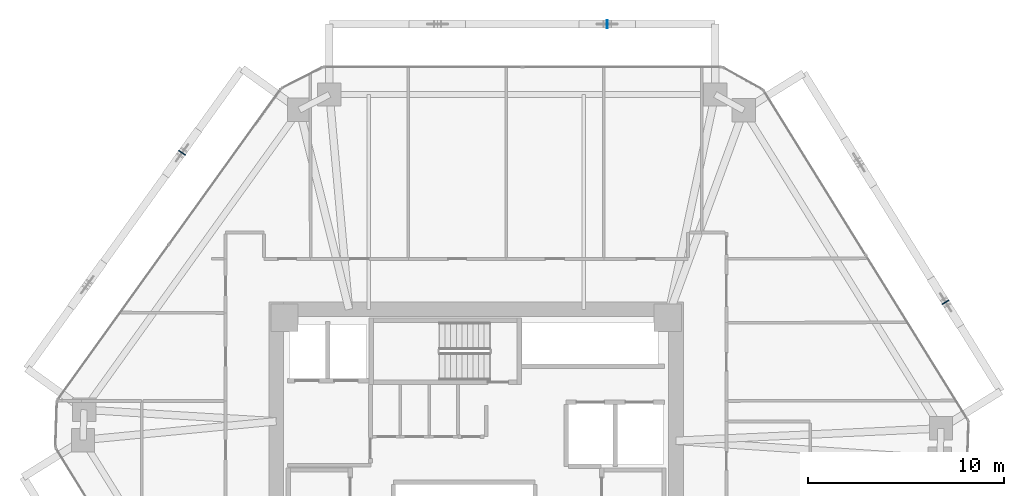
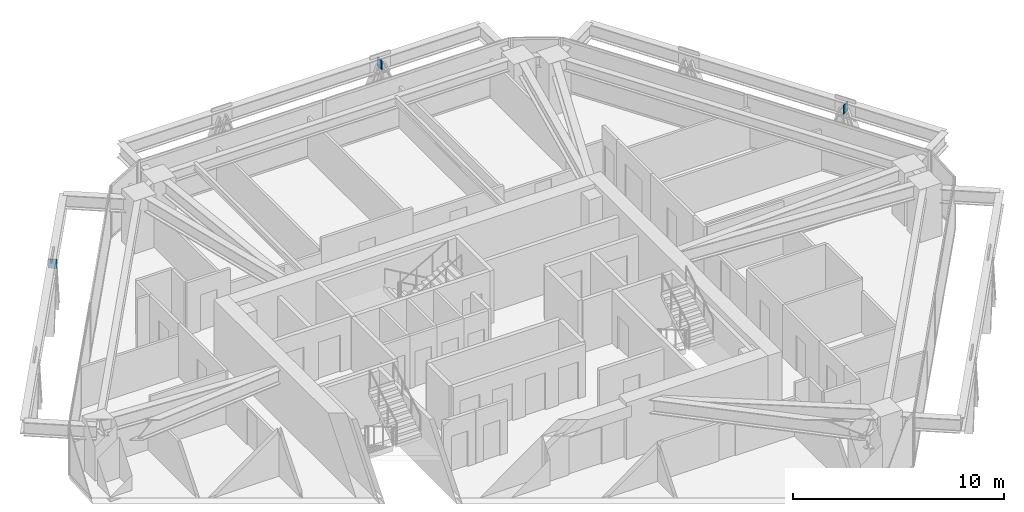
# One storey, part 11 of 16: 3 plates.
"""IFC4 building model written with IfcOpenShell, lengths in metres."""

from ifc_helpers import new_model, si_unit, direction, frame, origin, origin_2d, place, context, subcontext, project, spatial, rectangle, extrude, source, transform, mapped, material, layer, layer_set, type_object, type_shapes, element, save


model = new_model("IFC4")

# Units and contexts
model_context = context("Model", 3, precision=1e-05, world=origin(), true_north=direction((0.0, 1.0)))
body_context = subcontext(model_context, "Body", "Model", "MODEL_VIEW")
ifc_project = project(units=[si_unit("LENGTHUNIT", "METRE"), si_unit("AREAUNIT", "SQUARE_METRE"), si_unit("VOLUMEUNIT", "CUBIC_METRE"), si_unit("PLANEANGLEUNIT", "RADIAN"), si_unit("MASSUNIT", "GRAM", prefix="KILO")], contexts=[model_context])

# Site, building, storey
site_placement = place(None, origin())
site = spatial("IfcSite", under=ifc_project, at=site_placement, CompositionType="ELEMENT")
building_placement = place(site_placement, origin())
building = spatial("IfcBuilding", under=site, at=building_placement, Name="Durnholm Broadcast Tower", CompositionType="ELEMENT")
storey_placement = place(building_placement, frame((0.0, 0.0, 123.89990234375)))
storey = spatial("IfcBuildingStorey", under=building, at=storey_placement, Name="L33", CompositionType="ELEMENT", Elevation=123.89990234375)

# Plates
ifc_material = material(Name="Steel ASTM A572 Grade 50", Category="steel")
ifc_layer = layer(ifc_material, 0.044921875)
ifc_layer_set = layer_set([ifc_layer], Name="Steel ASTM A572 Grade 50")
plate_type = type_object("IfcPlateType", Name="PLT-KN-STIF", PredefinedType="SHEET", material=ifc_layer_set)
shared_shape = source(origin(), body_context, "Body", "SweptSolid", [
    extrude(rectangle(XDim=0.044921875, YDim=0.419921875, at=origin_2d()), origin(), (0.0, 0.0, 1.0), 0.52001953125),
])
type_shapes(plate_type, [shared_shape])
for number, where, z_axis, x_axis, name in (
    (1, (24.01513671875, 8.58837890625, 2.048583984375), (0.0, 0.0, 1.0), (-0.527104121728, 0.849800708906, 0.0), "L33 welded diagrid node stiffener plate F3"),
    (2, (6.7060546875, 22.81494140625, 2.048583984375), (0.0, 0.0, 1.0), (-1.0, 0.0, 0.0), "L33 welded diagrid node stiffener plate F4"),
    (3, (-15.040771484375, 16.234375, 2.048583984375), (0.0, 0.0, 1.0), (-0.583399467156, -0.812185361677, 0.0), "L33 welded diagrid node stiffener plate F5"),
):
    element("IfcPlate", number, at=place(storey_placement, frame(where, z_axis=z_axis, x_axis=x_axis)), inside=storey, type_object=plate_type, Name=name, PredefinedType="SHEET", context=body_context, shape_type="MappedRepresentation", body=[
        mapped(shared_shape, transform((0.0, 0.0, 0.0), x_axis=(1.0, 0.0, 0.0), y_axis=(0.0, 1.0, 0.0), z_axis=(0.0, 0.0, 1.0), scale=1.0)),
    ])

save(model, "model.ifc")
